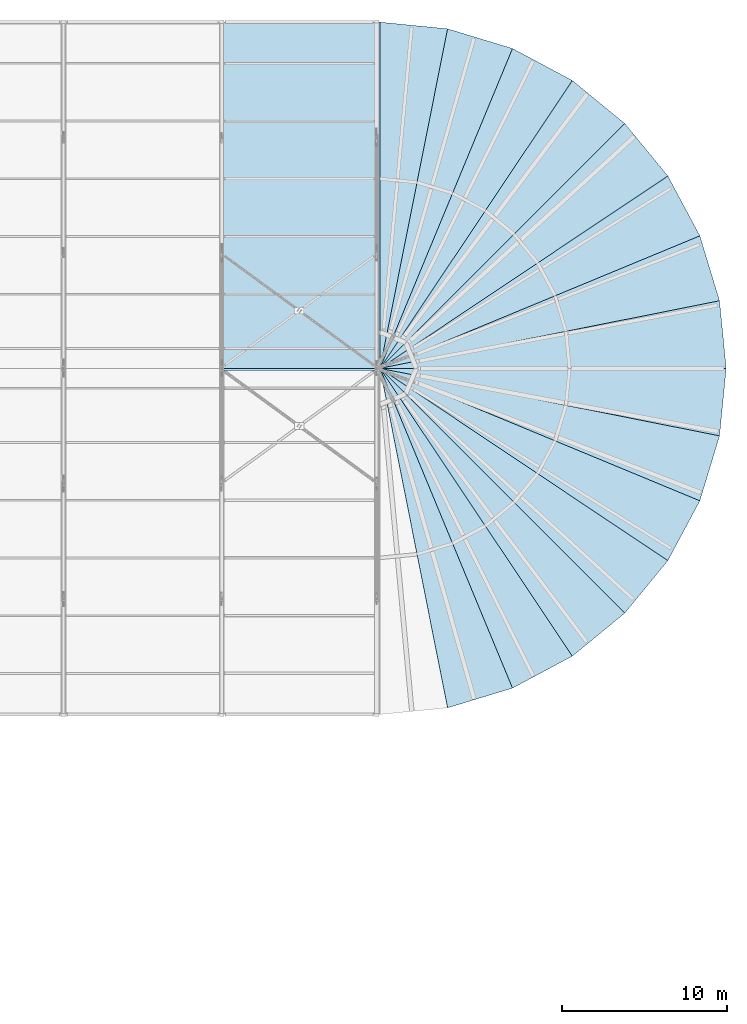
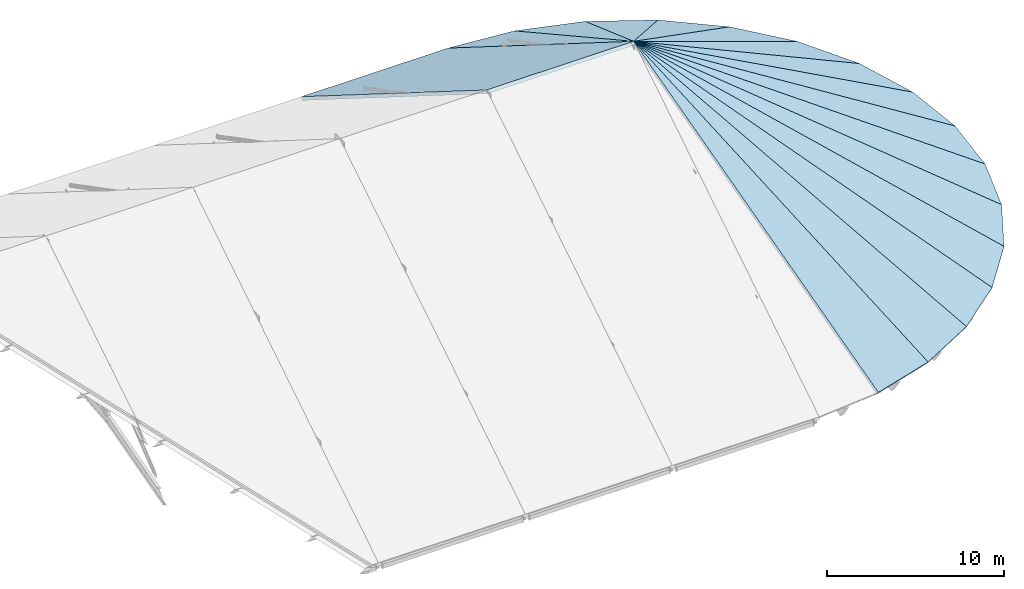
# One storey, part 65 of 66: 16 roofs.
"""IFC4 building model written with IfcOpenShell, lengths in metres."""

from ifc_helpers import new_model, si_unit, direction, frame, origin, place, context, subcontext, project, spatial, polyline, outline, extrude, material, layer, layer_set, type_object, element, save


model = new_model("IFC4")

# Units and contexts
model_context = context("Model", 3, precision=1e-05, world=origin(), true_north=direction((0.0, 1.0)))
body_context = subcontext(model_context, "Body", "Model", "MODEL_VIEW")
ifc_project = project(units=[si_unit("LENGTHUNIT", "METRE"), si_unit("AREAUNIT", "SQUARE_METRE"), si_unit("VOLUMEUNIT", "CUBIC_METRE"), si_unit("PLANEANGLEUNIT", "RADIAN"), si_unit("MASSUNIT", "GRAM", prefix="KILO")], contexts=[model_context])

# Site, building, storey
site_placement = place(None, origin())
site = spatial("IfcSite", under=ifc_project, at=site_placement, CompositionType="ELEMENT")
building_placement = place(site_placement, origin())
building = spatial("IfcBuilding", under=site, at=building_placement, Name="Yeouljin Market Hall", CompositionType="ELEMENT")
storey_placement = place(building_placement, frame((0.0, 0.0, 23.39990234375)))
storey = spatial("IfcBuildingStorey", under=building, at=storey_placement, Name="RF", CompositionType="ELEMENT", Elevation=23.39990234375)

# Roofs
ifc_material_1 = material(Name="Patinated Copper Conical Roof Assembly")
ifc_layer_1 = layer(ifc_material_1, 0.219970703125)
ifc_layer_set_1 = layer_set([ifc_layer_1], Name="Patinated Copper Conical Roof Assembly")
roof_type_1 = type_object("IfcRoofType", Name="Roof_Copper_ApseCone", PredefinedType="PAVILION_ROOF", material=ifc_layer_set_1)
roof_1_placement = place(storey_placement, frame((141.0, 57.0, 1.2001953125), z_axis=(0.154994045514, -0.511030633104, 0.845472966974), x_axis=(0.165171272296, -0.83036434329, -0.532178079407)))
element("IfcRoof", 1, at=roof_1_placement, inside=storey, type_object=roof_type_1, Name="Apse conical copper roof east 02", PredefinedType="PAVILION_ROOF", context=body_context, shape_type="SweptSolid", body=[
    extrude(outline(polyline([(0.0, 0.0), (24.80409438738253, 0.0), (24.462639444441983, 4.102475394164513), (0.0, 0.0)])), origin(), (0.0, 0.0, -1.0), 0.219970703125),
])
roof_2_placement = place(storey_placement, frame((141.0, 57.0, 1.2001953125), z_axis=(0.251740974705, -0.470957357509, 0.845473624108), x_axis=(0.323991878396, -0.782188856344, -0.532174647785)))
element("IfcRoof", 2, at=roof_2_placement, inside=storey, type_object=roof_type_1, Name="Apse conical copper roof east 03", PredefinedType="PAVILION_ROOF", context=body_context, shape_type="SweptSolid", body=[
    extrude(outline(polyline([(0.0, 0.0), (24.804254331636216, 0.0), (24.46257073899782, 4.102539970526417), (0.0, 0.0)])), origin(), (0.0, 0.0, -1.0), 0.219970703125),
])
roof_3_placement = place(storey_placement, frame((141.0, 57.0, 1.2001953125), z_axis=(0.33880280716, -0.412783304218, 0.845471821895), x_axis=(0.470363627109, -0.703950920961, -0.532175872406)))
element("IfcRoof", 3, at=roof_3_placement, inside=storey, type_object=roof_type_1, Name="Apse conical copper roof east 04", PredefinedType="PAVILION_ROOF", context=body_context, shape_type="SweptSolid", body=[
    extrude(outline(polyline([(0.0, 0.0), (24.80419725309084, -2.220446049250313e-15), (24.46236438280464, 4.102521127884703), (0.0, 0.0)])), origin(), (0.0, 0.0, -1.0), 0.219970703125),
])
roof_4_placement = place(storey_placement, frame((141.0, 57.0, 1.2001953125), z_axis=(0.412783304218, -0.33880280716, 0.845471821895), x_axis=(0.598658551349, -0.598658551349, -0.532180305717)))
element("IfcRoof", 4, at=roof_4_placement, inside=storey, type_object=roof_type_1, Name="Apse conical copper roof east 05", PredefinedType="PAVILION_ROOF", context=body_context, shape_type="SweptSolid", body=[
    extrude(outline(polyline([(0.0, 0.0), (24.803990622515755, -9.992007221626409e-16), (24.462568167449515, 4.10255530409098), (0.0, 0.0)])), origin(), (0.0, 0.0, -1.0), 0.219970703125),
])
roof_5_placement = place(storey_placement, frame((141.0, 57.0, 1.2001953125), z_axis=(0.470957357509, -0.251740974705, 0.845473624108), x_axis=(0.703950920961, -0.470363627109, -0.532175872406)))
element("IfcRoof", 5, at=roof_5_placement, inside=storey, type_object=roof_type_1, Name="Apse conical copper roof east 06", PredefinedType="PAVILION_ROOF", context=body_context, shape_type="SweptSolid", body=[
    extrude(outline(polyline([(0.0, 0.0), (24.80419725309084, 1.3322676295501878e-15), (24.46262703140429, 4.102549411146949), (0.0, 0.0)])), origin(), (0.0, 0.0, -1.0), 0.219970703125),
])
roof_6_placement = place(storey_placement, frame((141.0, 57.0, 1.2001953125), z_axis=(0.511030633104, -0.154994045514, 0.845472966974), x_axis=(0.782188856344, -0.323991878396, -0.532174647785)))
element("IfcRoof", 6, at=roof_6_placement, inside=storey, type_object=roof_type_1, Name="Apse conical copper roof east 07", PredefinedType="PAVILION_ROOF", context=body_context, shape_type="SweptSolid", body=[
    extrude(outline(polyline([(0.0, 0.0), (24.804254331636216, -1.1102230246251565e-15), (24.462481703009527, 4.102448940341051), (0.0, 0.0)])), origin(), (0.0, 0.0, -1.0), 0.219970703125),
])
roof_7_placement = place(storey_placement, frame((141.0, 57.0, 1.2001953125), z_axis=(0.53144747175, -0.052349840343, 0.845472104203), x_axis=(0.83036434329, -0.165171272296, -0.532178079407)))
element("IfcRoof", 7, at=roof_7_placement, inside=storey, type_object=roof_type_1, Name="Apse conical copper roof east 08", PredefinedType="PAVILION_ROOF", context=body_context, shape_type="SweptSolid", body=[
    extrude(outline(polyline([(0.0, 0.0), (24.80409438738253, 2.220446049250313e-16), (24.46250579828373, 4.102556076043566), (0.0, 0.0)])), origin(), (0.0, 0.0, -1.0), 0.219970703125),
])
roof_8_placement = place(storey_placement, frame((141.0, 57.0, 1.2001953125), z_axis=(0.53144747175, 0.052349840343, 0.845472104203), x_axis=(0.846633001429, 0.0, -0.532177189375)))
element("IfcRoof", 8, at=roof_8_placement, inside=storey, type_object=roof_type_1, Name="Apse conical copper roof east 09", PredefinedType="PAVILION_ROOF", context=body_context, shape_type="SweptSolid", body=[
    extrude(outline(polyline([(0.0, 0.0), (24.80413587061938, -2.220446049250313e-16), (24.462464886400028, 4.102549214796461), (0.0, 0.0)])), origin(), (0.0, 0.0, -1.0), 0.219970703125),
])
roof_9_placement = place(storey_placement, frame((141.0, 57.0, 1.2001953125), z_axis=(0.511030633104, 0.154994045514, 0.845472966974), x_axis=(0.83036434329, 0.165171272296, -0.532178079407)))
element("IfcRoof", 9, at=roof_9_placement, inside=storey, type_object=roof_type_1, Name="Apse conical copper roof east 10", PredefinedType="PAVILION_ROOF", context=body_context, shape_type="SweptSolid", body=[
    extrude(outline(polyline([(0.0, 0.0), (24.80409438738253, 0.0), (24.462639444441983, 4.102475394164513), (0.0, 0.0)])), origin(), (0.0, 0.0, -1.0), 0.219970703125),
])
roof_10_placement = place(storey_placement, frame((141.0, 57.0, 1.2001953125), z_axis=(0.470957357509, 0.251740974705, 0.845473624108), x_axis=(0.782188856344, 0.323991878396, -0.532174647785)))
element("IfcRoof", 10, at=roof_10_placement, inside=storey, type_object=roof_type_1, Name="Apse conical copper roof east 11", PredefinedType="PAVILION_ROOF", context=body_context, shape_type="SweptSolid", body=[
    extrude(outline(polyline([(0.0, 0.0), (24.804254331636216, 0.0), (24.46257073899782, 4.102539970526417), (0.0, 0.0)])), origin(), (0.0, 0.0, -1.0), 0.219970703125),
])
roof_11_placement = place(storey_placement, frame((141.0, 57.0, 1.2001953125), z_axis=(0.412783304218, 0.33880280716, 0.845471821895), x_axis=(0.703950920961, 0.470363627109, -0.532175872406)))
element("IfcRoof", 11, at=roof_11_placement, inside=storey, type_object=roof_type_1, Name="Apse conical copper roof east 12", PredefinedType="PAVILION_ROOF", context=body_context, shape_type="SweptSolid", body=[
    extrude(outline(polyline([(0.0, 0.0), (24.80419725309084, -2.220446049250313e-15), (24.46236438280464, 4.102521127884703), (0.0, 0.0)])), origin(), (0.0, 0.0, -1.0), 0.219970703125),
])
roof_12_placement = place(storey_placement, frame((141.0, 57.0, 1.2001953125), z_axis=(0.33880280716, 0.412783304218, 0.845471821895), x_axis=(0.598658551349, 0.598658551349, -0.532180305717)))
element("IfcRoof", 12, at=roof_12_placement, inside=storey, type_object=roof_type_1, Name="Apse conical copper roof east 13", PredefinedType="PAVILION_ROOF", context=body_context, shape_type="SweptSolid", body=[
    extrude(outline(polyline([(0.0, 0.0), (24.803990622515755, -9.992007221626409e-16), (24.462568167449515, 4.10255530409098), (0.0, 0.0)])), origin(), (0.0, 0.0, -1.0), 0.219970703125),
])
roof_13_placement = place(storey_placement, frame((141.0, 57.0, 1.2001953125), z_axis=(0.251740974705, 0.470957357509, 0.845473624108), x_axis=(0.470363627109, 0.703950920961, -0.532175872406)))
element("IfcRoof", 13, at=roof_13_placement, inside=storey, type_object=roof_type_1, Name="Apse conical copper roof east 14", PredefinedType="PAVILION_ROOF", context=body_context, shape_type="SweptSolid", body=[
    extrude(outline(polyline([(0.0, 0.0), (24.80419725309084, 1.3322676295501878e-15), (24.46262703140429, 4.102549411146949), (0.0, 0.0)])), origin(), (0.0, 0.0, -1.0), 0.219970703125),
])
roof_14_placement = place(storey_placement, frame((141.0, 57.0, 1.2001953125), z_axis=(0.154994045514, 0.511030633104, 0.845472966974), x_axis=(0.323991878396, 0.782188856344, -0.532174647785)))
element("IfcRoof", 14, at=roof_14_placement, inside=storey, type_object=roof_type_1, Name="Apse conical copper roof east 15", PredefinedType="PAVILION_ROOF", context=body_context, shape_type="SweptSolid", body=[
    extrude(outline(polyline([(0.0, 0.0), (24.804254331636216, -1.1102230246251565e-15), (24.462481703009527, 4.102448940341051), (0.0, 0.0)])), origin(), (0.0, 0.0, -1.0), 0.219970703125),
])
roof_15_placement = place(storey_placement, frame((141.0, 57.0, 1.2001953125), z_axis=(0.052349840343, 0.53144747175, 0.845472104203), x_axis=(0.165171272296, 0.83036434329, -0.532178079407)))
element("IfcRoof", 15, at=roof_15_placement, inside=storey, type_object=roof_type_1, Name="Apse conical copper roof east 16", PredefinedType="PAVILION_ROOF", context=body_context, shape_type="SweptSolid", body=[
    extrude(outline(polyline([(0.0, 0.0), (24.80409438738253, 2.220446049250313e-16), (24.46250579828373, 4.102556076043566), (0.0, 0.0)])), origin(), (0.0, 0.0, -1.0), 0.219970703125),
])
ifc_material_2 = material(Name="Patinated Copper Insulated Roof Assembly")
ifc_layer_2 = layer(ifc_material_2, 0.219970703125)
ifc_layer_set_2 = layer_set([ifc_layer_2], Name="Patinated Copper Insulated Roof Assembly")
roof_type_2 = type_object("IfcRoofType", Name="Roof_Copper_Gable", PredefinedType="GABLE_ROOF", material=ifc_layer_set_2)
roof_16_placement = place(storey_placement, frame((141.0, 78.0, -12.0), z_axis=(0.0, 0.532177189375, 0.846633001429), x_axis=(-1.0, 0.0, 0.0)))
element("IfcRoof", 16, at=roof_16_placement, inside=storey, type_object=roof_type_2, Name="Nave pitched copper roof bay N11", PredefinedType="GABLE_ROOF", context=body_context, shape_type="SweptSolid", body=[
    extrude(outline(polyline([(0.0, 0.0), (9.60009765625, 0.0), (9.60009765625, 24.80413587061938), (0.0, 24.80413587061938), (0.0, 0.0)])), origin(), (0.0, 0.0, -1.0), 0.219970703125),
])

save(model, "model.ifc")
